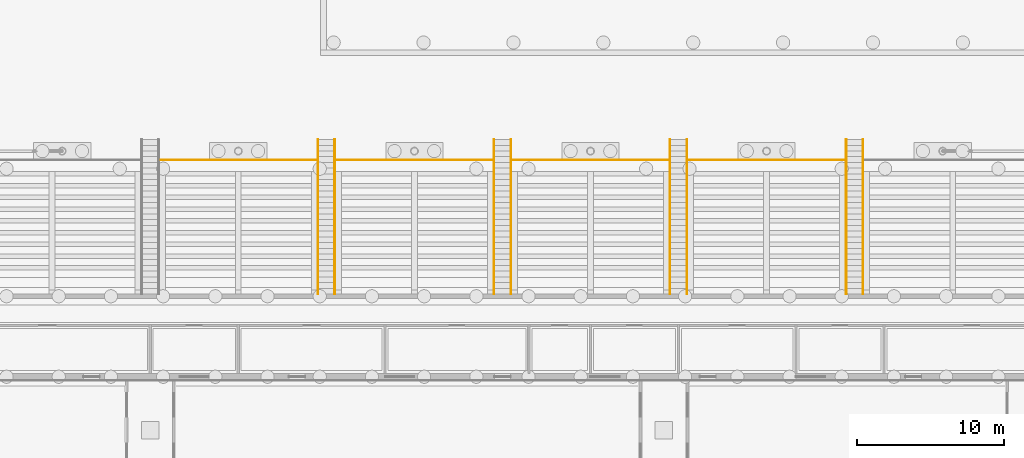
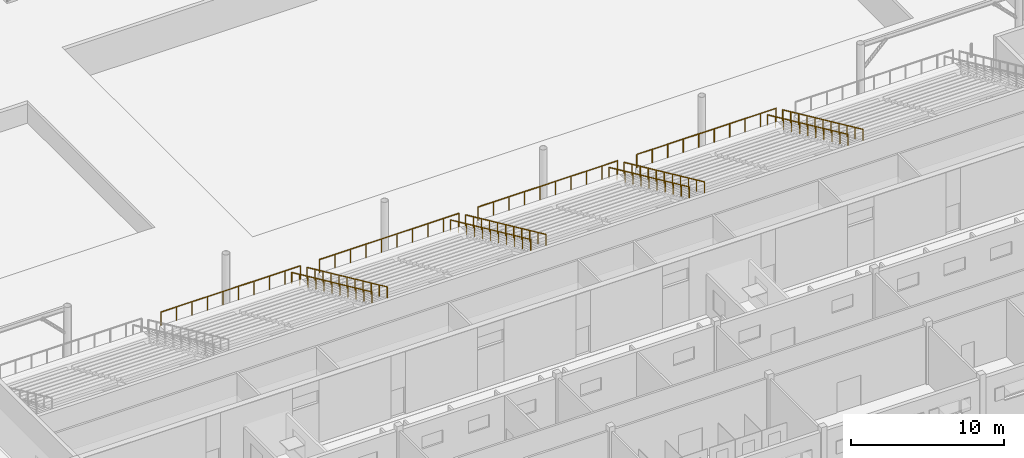
# One storey, part 133 of 157: 12 railings.
"""IFC4 building model written with IfcOpenShell, lengths in metres."""

from ifc_helpers import new_model, si_unit, direction, frame, origin, origin_2d, place, context, subcontext, project, spatial, circle, extrude, material, type_object, element, save


model = new_model("IFC4")

# Units and contexts
model_context = context("Model", 3, precision=1e-05, world=origin(), true_north=direction((0.0, 1.0)))
body_context = subcontext(model_context, "Body", "Model", "MODEL_VIEW")
ifc_project = project(units=[si_unit("LENGTHUNIT", "METRE"), si_unit("AREAUNIT", "SQUARE_METRE"), si_unit("VOLUMEUNIT", "CUBIC_METRE"), si_unit("PLANEANGLEUNIT", "RADIAN"), si_unit("MASSUNIT", "GRAM", prefix="KILO")], contexts=[model_context])

# Site, building, storey
site_placement = place(None, origin())
site = spatial("IfcSite", under=ifc_project, at=site_placement, CompositionType="ELEMENT")
building_placement = place(site_placement, origin())
building = spatial("IfcBuilding", under=site, at=building_placement, Name="Windward Yard Aquatics Centre", CompositionType="ELEMENT")
storey_placement = place(building_placement, origin())
storey = spatial("IfcBuildingStorey", under=building, at=storey_placement, Name="L00", CompositionType="ELEMENT", Elevation=0.0)

# Railings
ifc_material = material(Name="Stainless steel 1.4529", Category="steel")
railing_type_1 = type_object("IfcRailingType", Name="H Guard Steel 1100", PredefinedType="GUARDRAIL", material=ifc_material)
for number, where, name in (
    (1, (78.72509765625, 41.0, 1.39990234375), "Stand front barrier S3"),
    (2, (90.72509765625, 41.0, 1.39990234375), "Stand front barrier S4"),
    (3, (102.72509765625, 41.0, 1.39990234375), "Stand front barrier S5"),
    (4, (114.72509765625, 41.0, 1.39990234375), "Stand front barrier S6"),
):
    element("IfcRailing", number, at=place(storey_placement, frame(where)), inside=storey, type_object=railing_type_1, Name=name, PredefinedType="GUARDRAIL", context=body_context, shape_type="SweptSolid", body=[
        extrude(circle(Radius=0.02392578125, at=origin_2d()), frame((0.0, 0.0, 1.076171875), z_axis=(1.0, 0.0, 0.0), x_axis=(0.0, 1.0, 0.0)), (0.0, 0.0, 1.0), 10.5498046875),
        extrude(circle(Radius=0.02099609375, at=origin_2d()), origin(), (0.0, 0.0, 1.0), 1.052001953125),
        extrude(circle(Radius=0.02099609375, at=origin_2d()), frame((1.172119140625, 0.0, 0.0)), (0.0, 0.0, 1.0), 1.052001953125),
        extrude(circle(Radius=0.02099609375, at=origin_2d()), frame((2.344482421875, 0.0, 0.0)), (0.0, 0.0, 1.0), 1.052001953125),
        extrude(circle(Radius=0.02099609375, at=origin_2d()), frame((3.5166015625, 0.0, 0.0)), (0.0, 0.0, 1.0), 1.052001953125),
        extrude(circle(Radius=0.02099609375, at=origin_2d()), frame((4.688720703125, 0.0, 0.0)), (0.0, 0.0, 1.0), 1.052001953125),
        extrude(circle(Radius=0.02099609375, at=origin_2d()), frame((5.861083984375, 0.0, 0.0)), (0.0, 0.0, 1.0), 1.052001953125),
        extrude(circle(Radius=0.02099609375, at=origin_2d()), frame((7.033203125, 0.0, 0.0)), (0.0, 0.0, 1.0), 1.052001953125),
        extrude(circle(Radius=0.02099609375, at=origin_2d()), frame((8.205322265625, 0.0, 0.0)), (0.0, 0.0, 1.0), 1.052001953125),
        extrude(circle(Radius=0.02099609375, at=origin_2d()), frame((9.377685546875, 0.0, 0.0)), (0.0, 0.0, 1.0), 1.052001953125),
        extrude(circle(Radius=0.02099609375, at=origin_2d()), frame((10.5498046875, 0.0, 0.0)), (0.0, 0.0, 1.0), 1.052001953125),
    ])
railing_type_2 = type_object("IfcRailingType", Name="H Handrail Steel 900", PredefinedType="HANDRAIL", material=ifc_material)
for number, where, name in (
    (5, (89.425048828125, 42.3896484375, 0.1787109375), "Vomitory stair S3 handrail 1"),
    (6, (90.574951171875, 42.3896484375, 0.1787109375), "Vomitory stair S3 handrail 2"),
    (7, (101.425048828125, 42.3896484375, 0.1787109375), "Vomitory stair S4 handrail 1"),
    (8, (102.574951171875, 42.3896484375, 0.1787109375), "Vomitory stair S4 handrail 2"),
    (9, (113.425048828125, 42.3896484375, 0.1787109375), "Vomitory stair S5 handrail 1"),
    (10, (114.574951171875, 42.3896484375, 0.1787109375), "Vomitory stair S5 handrail 2"),
    (11, (125.425048828125, 42.3896484375, 0.1787109375), "Vomitory stair S6 handrail 1"),
    (12, (126.574951171875, 42.3896484375, 0.1787109375), "Vomitory stair S6 handrail 2"),
):
    element("IfcRailing", number, at=place(storey_placement, frame(where)), inside=storey, type_object=railing_type_2, Name=name, PredefinedType="HANDRAIL", context=body_context, shape_type="SweptSolid", body=[
        extrude(circle(Radius=0.02392578125, at=origin_2d()), frame((0.0, 0.0, 0.8759765625), z_axis=(0.0, -0.909227440193, 0.416299726158), x_axis=(1.0, 0.0, 0.0)), (0.0, 0.0, 1.0), 11.581298828125),
        extrude(circle(Radius=0.02099609375, at=origin_2d()), origin(), (0.0, 0.0, 1.0), 0.851806640625),
        extrude(circle(Radius=0.02099609375, at=origin_2d()), frame((0.0, -1.052978515625, 0.482177734375)), (0.0, 0.0, 1.0), 0.851806640625),
        extrude(circle(Radius=0.02099609375, at=origin_2d()), frame((0.0, -2.10595703125, 0.96435546875)), (0.0, 0.0, 1.0), 0.851806640625),
        extrude(circle(Radius=0.02099609375, at=origin_2d()), frame((0.0, -3.158935546875, 1.4462890625)), (0.0, 0.0, 1.0), 0.851806640625),
        extrude(circle(Radius=0.02099609375, at=origin_2d()), frame((0.0, -4.2119140625, 1.928466796875)), (0.0, 0.0, 1.0), 0.851806640625),
        extrude(circle(Radius=0.02099609375, at=origin_2d()), frame((0.0, -5.26513671875, 2.41064453125)), (0.0, 0.0, 1.0), 0.851806640625),
        extrude(circle(Radius=0.02099609375, at=origin_2d()), frame((0.0, -6.318115234375, 2.892822265625)), (0.0, 0.0, 1.0), 0.851806640625),
        extrude(circle(Radius=0.02099609375, at=origin_2d()), frame((0.0, -7.37109375, 3.375)), (0.0, 0.0, 1.0), 0.851806640625),
        extrude(circle(Radius=0.02099609375, at=origin_2d()), frame((0.0, -8.424072265625, 3.85693359375)), (0.0, 0.0, 1.0), 0.851806640625),
        extrude(circle(Radius=0.02099609375, at=origin_2d()), frame((0.0, -9.47705078125, 4.339111328125)), (0.0, 0.0, 1.0), 0.851806640625),
        extrude(circle(Radius=0.02099609375, at=origin_2d()), frame((0.0, -10.530029296875, 4.8212890625)), (0.0, 0.0, 1.0), 0.851806640625),
    ])

save(model, "model.ifc")
